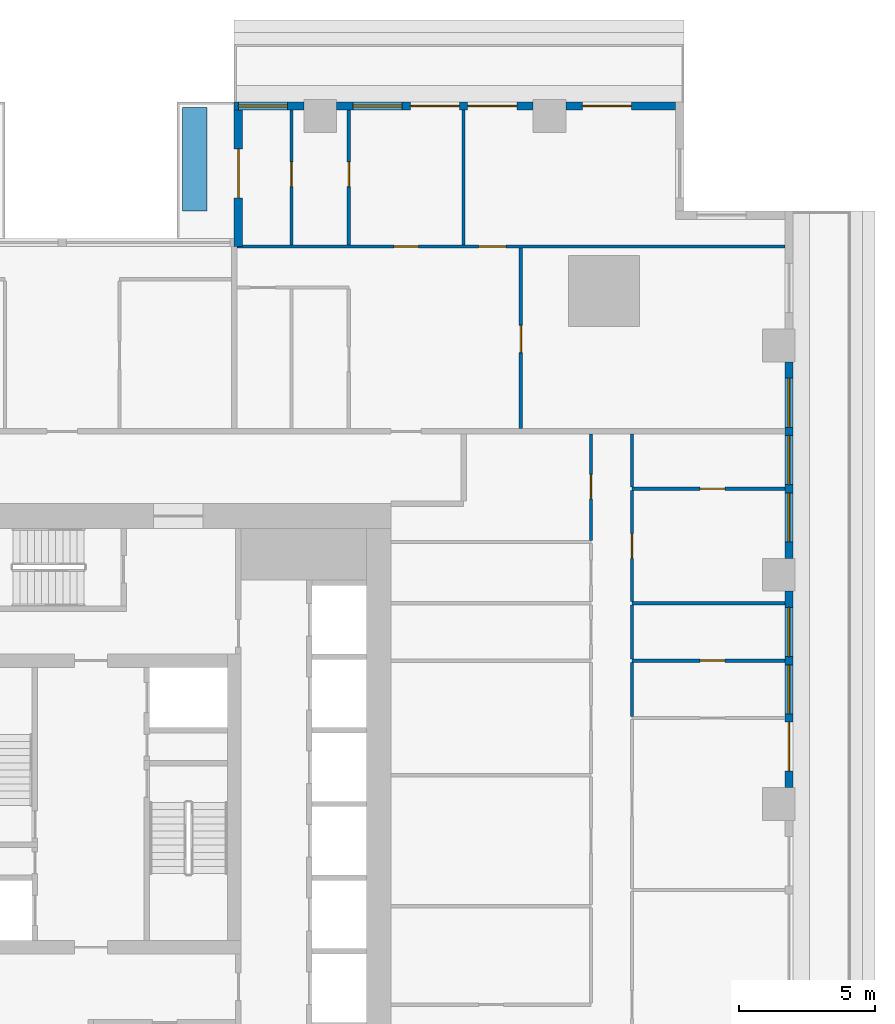
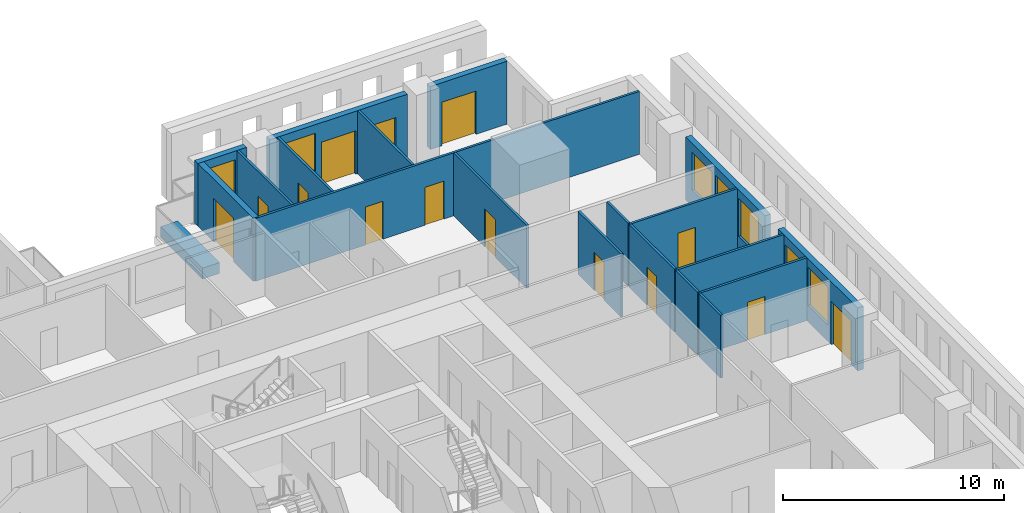
# One storey, part 9 of 16: 20 walls, 14 doors, 7 windows, 21 openings.
"""IFC4 building model written with IfcOpenShell, lengths in metres."""

from ifc_helpers import new_model, si_unit, direction, frame, frame_2d, origin, place, context, subcontext, project, spatial, rectangle, extrude, material, layer, layer_set, type_object, element, fill, save


model = new_model("IFC4")

# Units and contexts
model_context = context("Model", 3, precision=1e-05, world=origin(), true_north=direction((0.0, 1.0)))
body_context = subcontext(model_context, "Body", "Model", "MODEL_VIEW")
ifc_project = project(units=[si_unit("LENGTHUNIT", "METRE"), si_unit("AREAUNIT", "SQUARE_METRE"), si_unit("VOLUMEUNIT", "CUBIC_METRE"), si_unit("PLANEANGLEUNIT", "RADIAN"), si_unit("MASSUNIT", "GRAM", prefix="KILO")], contexts=[model_context])

# Site, building, storey
site_placement = place(None, origin())
site = spatial("IfcSite", under=ifc_project, at=site_placement, CompositionType="ELEMENT")
building_placement = place(site_placement, origin())
building = spatial("IfcBuilding", under=site, at=building_placement, Name="Khepri Terraces", CompositionType="ELEMENT")
storey_placement = place(building_placement, frame((0.0, 0.0, 141.60009765625)))
storey = spatial("IfcBuildingStorey", under=building, at=storey_placement, Name="L33", CompositionType="ELEMENT", Elevation=141.60009765625)

# Wall, openings, door, windows
ifc_material_1 = material(Name="Precast concrete C50/60 warm stone", Category="masonry")
ifc_layer_1 = layer(ifc_material_1, 0.300048828125, Name="Precast concrete C50/60 warm stone", Category="masonry")
ifc_layer_set_1 = layer_set([ifc_layer_1], Name="Precast concrete C50/60 warm stone")
wall_type_1 = type_object("IfcWallType", Name="WL-EXT-PRECAST-300", PredefinedType="STANDARD", material=ifc_layer_set_1)
wall_1_placement = place(storey_placement, frame((25.570068359375, 0.60009765625, 0.0), z_axis=(0.0, 0.0, 1.0), x_axis=(0.0, 1.0, 0.0)))
wall_1 = element("IfcWall", 1, at=wall_1_placement, inside=storey, type_object=wall_type_1, Name="External wall L33 E", PredefinedType="STANDARD", context=body_context, shape_type="SweptSolid", body=[
    extrude(rectangle(XDim=7.199951171875, YDim=0.300048828125, at=frame_2d((3.60009765625, 0.0))), origin(), (0.0, 0.0, 1.0), 3.47998046875),
])
opening_1_placement = place(wall_1_placement, frame((0.60009765625, 0.0, 0.0)))
opening_1 = element("IfcOpeningElement", 2, at=opening_1_placement, cuts=wall_1, Name="Opening ED-L33-06", PredefinedType="OPENING", context=body_context, shape_type="SweptSolid", body=[
    extrude(rectangle(XDim=1.800048828125, YDim=2.39990234375, at=frame_2d((0.89990234375, 1.199951171875))), frame((0.0, 0.16015625, 0.0), z_axis=(0.0, -1.0, 0.0), x_axis=(1.0, 0.0, 0.0)), (0.0, 0.0, 1.0), 0.320068359375),
])
opening_2_placement = place(wall_1_placement, frame((2.699951171875, 0.0, 0.89990234375)))
opening_2 = element("IfcOpeningElement", 3, at=opening_2_placement, cuts=wall_1, Name="Opening W1", PredefinedType="OPENING", context=body_context, shape_type="SweptSolid", body=[
    extrude(rectangle(XDim=1.800048828125, YDim=2.10009765625, at=frame_2d((0.89990234375, 1.050048828125))), frame((0.0, 0.16015625, 0.0), z_axis=(0.0, -1.0, 0.0), x_axis=(1.0, 0.0, 0.0)), (0.0, 0.0, 1.0), 0.320068359375),
])
opening_3_placement = place(wall_1_placement, frame((4.800048828125, 0.0, 0.89990234375)))
opening_3 = element("IfcOpeningElement", 4, at=opening_3_placement, cuts=wall_1, Name="Opening W1", PredefinedType="OPENING", context=body_context, shape_type="SweptSolid", body=[
    extrude(rectangle(XDim=1.800048828125, YDim=2.10009765625, at=frame_2d((0.89990234375, 1.050048828125))), frame((0.0, 0.16015625, 0.0), z_axis=(0.0, -1.0, 0.0), x_axis=(1.0, 0.0, 0.0)), (0.0, 0.0, 1.0), 0.320068359375),
])
ifc_material_2 = material(Name="Anodised aluminium bronze glazed door", Category="aluminium")
door_type_1 = type_object("IfcDoorType", Name="DR-BAL-SLIDE-1800x2400", OperationType="NOTDEFINED", PredefinedType="DOOR", material=ifc_material_2)
door_1_placement = place(opening_1_placement, origin())
door_1 = element("IfcDoor", 5, at=door_1_placement, inside=storey, type_object=door_type_1, Name="Balcony door L33 E", OperationType="SLIDING_TO_LEFT", OverallHeight=2.39990234375, OverallWidth=1.800048828125, PredefinedType="DOOR", context=body_context, shape_type="SweptSolid", body=[
    extrude(rectangle(XDim=1.800048828125, YDim=2.39990234375, at=frame_2d((0.89990234375, 1.199951171875))), frame((0.0, 0.02490234375, 0.0), z_axis=(0.0, -1.0, 0.0), x_axis=(1.0, 0.0, 0.0)), (0.0, 0.0, 1.0), 0.050048828125),
])
fill(opening_1, door_1)
ifc_material_3 = material(Name="Clear glass", Category="glass")
window_type = type_object("IfcWindowType", Name="WIN-RES-1800x2100", PartitioningType="SINGLE_PANEL", PredefinedType="WINDOW", material=ifc_material_3)
window_1_placement = place(opening_2_placement, origin())
window_1 = element("IfcWindow", 6, at=window_1_placement, inside=storey, type_object=window_type, Name="Window L33 E", OverallHeight=2.10009765625, OverallWidth=1.800048828125, PartitioningType="SINGLE_PANEL", PredefinedType="WINDOW", context=body_context, shape_type="SweptSolid", body=[
    extrude(rectangle(XDim=1.800048828125, YDim=2.10009765625, at=frame_2d((0.89990234375, 1.050048828125))), frame((0.0, 0.030029296875, 0.0), z_axis=(0.0, -1.0, 0.0), x_axis=(1.0, 0.0, 0.0)), (0.0, 0.0, 1.0), 0.06005859375),
])
fill(opening_2, window_1)
window_2_placement = place(opening_3_placement, origin())
window_2 = element("IfcWindow", 7, at=window_2_placement, inside=storey, type_object=window_type, Name="Window L33 E", OverallHeight=2.10009765625, OverallWidth=1.800048828125, PartitioningType="SINGLE_PANEL", PredefinedType="WINDOW", context=body_context, shape_type="SweptSolid", body=[
    extrude(rectangle(XDim=1.800048828125, YDim=2.10009765625, at=frame_2d((0.89990234375, 1.050048828125))), frame((0.0, 0.030029296875, 0.0), z_axis=(0.0, -1.0, 0.0), x_axis=(1.0, 0.0, 0.0)), (0.0, 0.0, 1.0), 0.06005859375),
])
fill(opening_3, window_2)

# Wall, openings, windows
wall_2_placement = place(storey_placement, frame((25.570068359375, 9.0, 0.0), z_axis=(0.0, 0.0, 1.0), x_axis=(0.0, 1.0, 0.0)))
wall_2 = element("IfcWall", 8, at=wall_2_placement, inside=storey, type_object=wall_type_1, Name="External wall L33 E", PredefinedType="STANDARD", context=body_context, shape_type="SweptSolid", body=[
    extrude(rectangle(XDim=7.199951171875, YDim=0.300048828125, at=frame_2d((3.60009765625, 0.0))), origin(), (0.0, 0.0, 1.0), 3.47998046875),
])
opening_4_placement = place(wall_2_placement, frame((0.60009765625, 0.0, 0.89990234375)))
opening_4 = element("IfcOpeningElement", 9, at=opening_4_placement, cuts=wall_2, Name="Opening W1", PredefinedType="OPENING", context=body_context, shape_type="SweptSolid", body=[
    extrude(rectangle(XDim=1.800048828125, YDim=2.10009765625, at=frame_2d((0.89990234375, 1.050048828125))), frame((0.0, 0.16015625, 0.0), z_axis=(0.0, -1.0, 0.0), x_axis=(1.0, 0.0, 0.0)), (0.0, 0.0, 1.0), 0.320068359375),
])
opening_5_placement = place(wall_2_placement, frame((2.699951171875, 0.0, 0.89990234375)))
opening_5 = element("IfcOpeningElement", 10, at=opening_5_placement, cuts=wall_2, Name="Opening W1", PredefinedType="OPENING", context=body_context, shape_type="SweptSolid", body=[
    extrude(rectangle(XDim=1.800048828125, YDim=2.10009765625, at=frame_2d((0.89990234375, 1.050048828125))), frame((0.0, 0.16015625, 0.0), z_axis=(0.0, -1.0, 0.0), x_axis=(1.0, 0.0, 0.0)), (0.0, 0.0, 1.0), 0.320068359375),
])
opening_6_placement = place(wall_2_placement, frame((4.800048828125, 0.0, 0.89990234375)))
opening_6 = element("IfcOpeningElement", 11, at=opening_6_placement, cuts=wall_2, Name="Opening W1", PredefinedType="OPENING", context=body_context, shape_type="SweptSolid", body=[
    extrude(rectangle(XDim=1.800048828125, YDim=2.10009765625, at=frame_2d((0.89990234375, 1.050048828125))), frame((0.0, 0.16015625, 0.0), z_axis=(0.0, -1.0, 0.0), x_axis=(1.0, 0.0, 0.0)), (0.0, 0.0, 1.0), 0.320068359375),
])
window_3_placement = place(opening_4_placement, origin())
window_3 = element("IfcWindow", 12, at=window_3_placement, inside=storey, type_object=window_type, Name="Window L33 E", OverallHeight=2.10009765625, OverallWidth=1.800048828125, PartitioningType="SINGLE_PANEL", PredefinedType="WINDOW", context=body_context, shape_type="SweptSolid", body=[
    extrude(rectangle(XDim=1.800048828125, YDim=2.10009765625, at=frame_2d((0.89990234375, 1.050048828125))), frame((0.0, 0.030029296875, 0.0), z_axis=(0.0, -1.0, 0.0), x_axis=(1.0, 0.0, 0.0)), (0.0, 0.0, 1.0), 0.06005859375),
])
fill(opening_4, window_3)
window_4_placement = place(opening_5_placement, origin())
window_4 = element("IfcWindow", 13, at=window_4_placement, inside=storey, type_object=window_type, Name="Window L33 E", OverallHeight=2.10009765625, OverallWidth=1.800048828125, PartitioningType="SINGLE_PANEL", PredefinedType="WINDOW", context=body_context, shape_type="SweptSolid", body=[
    extrude(rectangle(XDim=1.800048828125, YDim=2.10009765625, at=frame_2d((0.89990234375, 1.050048828125))), frame((0.0, 0.030029296875, 0.0), z_axis=(0.0, -1.0, 0.0), x_axis=(1.0, 0.0, 0.0)), (0.0, 0.0, 1.0), 0.06005859375),
])
fill(opening_5, window_4)
window_5_placement = place(opening_6_placement, origin())
window_5 = element("IfcWindow", 14, at=window_5_placement, inside=storey, type_object=window_type, Name="Window L33 E", OverallHeight=2.10009765625, OverallWidth=1.800048828125, PartitioningType="SINGLE_PANEL", PredefinedType="WINDOW", context=body_context, shape_type="SweptSolid", body=[
    extrude(rectangle(XDim=1.800048828125, YDim=2.10009765625, at=frame_2d((0.89990234375, 1.050048828125))), frame((0.0, 0.030029296875, 0.0), z_axis=(0.0, -1.0, 0.0), x_axis=(1.0, 0.0, 0.0)), (0.0, 0.0, 1.0), 0.06005859375),
])
fill(opening_6, window_5)

# Wall, opening, door
wall_3_placement = place(storey_placement, frame((21.419921875, 25.570068359375, 0.0), z_axis=(0.0, 0.0, 1.0), x_axis=(-1.0, 0.0, 0.0)))
wall_3 = element("IfcWall", 15, at=wall_3_placement, inside=storey, type_object=wall_type_1, Name="External wall L33 N", PredefinedType="STANDARD", context=body_context, shape_type="SweptSolid", body=[
    extrude(rectangle(XDim=4.02001953125, YDim=0.300048828125, at=frame_2d((2.010009765625, 0.0))), origin(), (0.0, 0.0, 1.0), 3.47998046875),
])
opening_7_placement = place(wall_3_placement, frame((1.6201171875, 0.0, 0.0)))
opening_7 = element("IfcOpeningElement", 16, at=opening_7_placement, cuts=wall_3, Name="Opening ED-L33-07", PredefinedType="OPENING", context=body_context, shape_type="SweptSolid", body=[
    extrude(rectangle(XDim=1.800048828125, YDim=2.39990234375, at=frame_2d((0.89990234375, 1.199951171875))), frame((0.0, 0.16015625, 0.0), z_axis=(0.0, -1.0, 0.0), x_axis=(1.0, 0.0, 0.0)), (0.0, 0.0, 1.0), 0.320068359375),
])
door_2_placement = place(opening_7_placement, origin())
door_2 = element("IfcDoor", 17, at=door_2_placement, inside=storey, type_object=door_type_1, Name="Balcony door L33 N", OperationType="SLIDING_TO_RIGHT", OverallHeight=2.39990234375, OverallWidth=1.800048828125, PredefinedType="DOOR", context=body_context, shape_type="SweptSolid", body=[
    extrude(rectangle(XDim=1.800048828125, YDim=2.39990234375, at=frame_2d((0.89990234375, 1.199951171875))), frame((0.0, 0.02490234375, 0.0), z_axis=(0.0, -1.0, 0.0), x_axis=(1.0, 0.0, 0.0)), (0.0, 0.0, 1.0), 0.050048828125),
])
fill(opening_7, door_2)

# Wall, openings, doors, window
wall_4_placement = place(storey_placement, frame((16.199951171875, 25.570068359375, 0.0), z_axis=(0.0, 0.0, 1.0), x_axis=(-1.0, 0.0, 0.0)))
wall_4 = element("IfcWall", 18, at=wall_4_placement, inside=storey, type_object=wall_type_1, Name="External wall L33 N", PredefinedType="STANDARD", context=body_context, shape_type="SweptSolid", body=[
    extrude(rectangle(XDim=7.199951171875, YDim=0.300048828125, at=frame_2d((3.60009765625, 0.0))), origin(), (0.0, 0.0, 1.0), 3.47998046875),
])
opening_8_placement = place(wall_4_placement, frame((0.60009765625, 0.0, 0.0)))
opening_8 = element("IfcOpeningElement", 19, at=opening_8_placement, cuts=wall_4, Name="Opening ED-L33-08", PredefinedType="OPENING", context=body_context, shape_type="SweptSolid", body=[
    extrude(rectangle(XDim=1.800048828125, YDim=2.39990234375, at=frame_2d((0.89990234375, 1.199951171875))), frame((0.0, 0.16015625, 0.0), z_axis=(0.0, -1.0, 0.0), x_axis=(1.0, 0.0, 0.0)), (0.0, 0.0, 1.0), 0.320068359375),
])
opening_9_placement = place(wall_4_placement, frame((2.699951171875, 0.0, 0.0)))
opening_9 = element("IfcOpeningElement", 20, at=opening_9_placement, cuts=wall_4, Name="Opening ED-L33-09", PredefinedType="OPENING", context=body_context, shape_type="SweptSolid", body=[
    extrude(rectangle(XDim=1.800048828125, YDim=2.39990234375, at=frame_2d((0.89990234375, 1.199951171875))), frame((0.0, 0.16015625, 0.0), z_axis=(0.0, -1.0, 0.0), x_axis=(1.0, 0.0, 0.0)), (0.0, 0.0, 1.0), 0.320068359375),
])
opening_10_placement = place(wall_4_placement, frame((4.800048828125, 0.0, 0.89990234375)))
opening_10 = element("IfcOpeningElement", 21, at=opening_10_placement, cuts=wall_4, Name="Opening W1", PredefinedType="OPENING", context=body_context, shape_type="SweptSolid", body=[
    extrude(rectangle(XDim=1.800048828125, YDim=2.10009765625, at=frame_2d((0.89990234375, 1.050048828125))), frame((0.0, 0.16015625, 0.0), z_axis=(0.0, -1.0, 0.0), x_axis=(1.0, 0.0, 0.0)), (0.0, 0.0, 1.0), 0.320068359375),
])
door_3_placement = place(opening_8_placement, origin())
door_3 = element("IfcDoor", 22, at=door_3_placement, inside=storey, type_object=door_type_1, Name="Balcony door L33 N", OperationType="SLIDING_TO_LEFT", OverallHeight=2.39990234375, OverallWidth=1.800048828125, PredefinedType="DOOR", context=body_context, shape_type="SweptSolid", body=[
    extrude(rectangle(XDim=1.800048828125, YDim=2.39990234375, at=frame_2d((0.89990234375, 1.199951171875))), frame((0.0, 0.02490234375, 0.0), z_axis=(0.0, -1.0, 0.0), x_axis=(1.0, 0.0, 0.0)), (0.0, 0.0, 1.0), 0.050048828125),
])
fill(opening_8, door_3)
door_4_placement = place(opening_9_placement, origin())
door_4 = element("IfcDoor", 23, at=door_4_placement, inside=storey, type_object=door_type_1, Name="Balcony door L33 N", OperationType="SLIDING_TO_RIGHT", OverallHeight=2.39990234375, OverallWidth=1.800048828125, PredefinedType="DOOR", context=body_context, shape_type="SweptSolid", body=[
    extrude(rectangle(XDim=1.800048828125, YDim=2.39990234375, at=frame_2d((0.89990234375, 1.199951171875))), frame((0.0, 0.02490234375, 0.0), z_axis=(0.0, -1.0, 0.0), x_axis=(1.0, 0.0, 0.0)), (0.0, 0.0, 1.0), 0.050048828125),
])
fill(opening_9, door_4)
window_6_placement = place(opening_10_placement, origin())
window_6 = element("IfcWindow", 24, at=window_6_placement, inside=storey, type_object=window_type, Name="Window L33 N", OverallHeight=2.10009765625, OverallWidth=1.800048828125, PartitioningType="SINGLE_PANEL", PredefinedType="WINDOW", context=body_context, shape_type="SweptSolid", body=[
    extrude(rectangle(XDim=1.800048828125, YDim=2.10009765625, at=frame_2d((0.89990234375, 1.050048828125))), frame((0.0, 0.030029296875, 0.0), z_axis=(0.0, -1.0, 0.0), x_axis=(1.0, 0.0, 0.0)), (0.0, 0.0, 1.0), 0.06005859375),
])
fill(opening_10, window_6)

# Wall, opening, window
wall_5_placement = place(storey_placement, frame((7.800048828125, 25.570068359375, 0.0), z_axis=(0.0, 0.0, 1.0), x_axis=(-1.0, 0.0, 0.0)))
wall_5 = element("IfcWall", 25, at=wall_5_placement, inside=storey, type_object=wall_type_1, Name="External wall L33 N", PredefinedType="STANDARD", context=body_context, shape_type="SweptSolid", body=[
    extrude(rectangle(XDim=2.550048828125, YDim=0.300048828125, at=frame_2d((1.27490234375, 0.0))), origin(), (0.0, 0.0, 1.0), 3.47998046875),
])
opening_11_placement = place(wall_5_placement, frame((0.60009765625, 0.0, 0.89990234375)))
opening_11 = element("IfcOpeningElement", 26, at=opening_11_placement, cuts=wall_5, Name="Opening W1", PredefinedType="OPENING", context=body_context, shape_type="SweptSolid", body=[
    extrude(rectangle(XDim=1.800048828125, YDim=2.10009765625, at=frame_2d((0.89990234375, 1.050048828125))), frame((0.0, 0.16015625, 0.0), z_axis=(0.0, -1.0, 0.0), x_axis=(1.0, 0.0, 0.0)), (0.0, 0.0, 1.0), 0.320068359375),
])
window_7_placement = place(opening_11_placement, origin())
window_7 = element("IfcWindow", 27, at=window_7_placement, inside=storey, type_object=window_type, Name="Window L33 N", OverallHeight=2.10009765625, OverallWidth=1.800048828125, PartitioningType="SINGLE_PANEL", PredefinedType="WINDOW", context=body_context, shape_type="SweptSolid", body=[
    extrude(rectangle(XDim=1.800048828125, YDim=2.10009765625, at=frame_2d((0.89990234375, 1.050048828125))), frame((0.0, 0.030029296875, 0.0), z_axis=(0.0, -1.0, 0.0), x_axis=(1.0, 0.0, 0.0)), (0.0, 0.0, 1.0), 0.06005859375),
])
fill(opening_11, window_7)

# Wall, opening, door
wall_6_placement = place(storey_placement, frame((5.39990234375, 25.419921875, 0.0), z_axis=(0.0, 0.0, 1.0), x_axis=(0.0, -1.0, 0.0)))
wall_6 = element("IfcWall", 28, at=wall_6_placement, inside=storey, type_object=wall_type_1, Name="External wall L33 W", PredefinedType="STANDARD", context=body_context, shape_type="SweptSolid", body=[
    extrude(rectangle(XDim=5.0, YDim=0.300048828125, at=frame_2d((2.5, 0.0))), origin(), (0.0, 0.0, 1.0), 3.47998046875),
])
opening_12_placement = place(wall_6_placement, frame((1.419921875, 0.0, 0.0)))
opening_12 = element("IfcOpeningElement", 29, at=opening_12_placement, cuts=wall_6, Name="Opening ED-L33-10", PredefinedType="OPENING", context=body_context, shape_type="SweptSolid", body=[
    extrude(rectangle(XDim=1.800048828125, YDim=2.39990234375, at=frame_2d((0.89990234375, 1.199951171875))), frame((0.0, 0.16015625, 0.0), z_axis=(0.0, -1.0, 0.0), x_axis=(1.0, 0.0, 0.0)), (0.0, 0.0, 1.0), 0.320068359375),
])
door_5_placement = place(opening_12_placement, origin())
door_5 = element("IfcDoor", 30, at=door_5_placement, inside=storey, type_object=door_type_1, Name="Balcony door L33 W", OperationType="SLIDING_TO_LEFT", OverallHeight=2.39990234375, OverallWidth=1.800048828125, PredefinedType="DOOR", context=body_context, shape_type="SweptSolid", body=[
    extrude(rectangle(XDim=1.800048828125, YDim=2.39990234375, at=frame_2d((0.89990234375, 1.199951171875))), frame((0.0, 0.02490234375, 0.0), z_axis=(0.0, -1.0, 0.0), x_axis=(1.0, 0.0, 0.0)), (0.0, 0.0, 1.0), 0.050048828125),
])
fill(opening_12, door_5)

# Wall
ifc_material_4 = material(Name="Gypsum plasterboard partition")
ifc_layer_2 = layer(ifc_material_4, 0.1201171875, Name="Gypsum plasterboard partition")
ifc_layer_set_2 = layer_set([ifc_layer_2], Name="Gypsum plasterboard partition")
wall_type_2 = type_object("IfcWallType", Name="WL-PART-120", PredefinedType="PARTITIONING", material=ifc_layer_set_2)
wall_7_placement = place(storey_placement, frame((19.820068359375, 3.2099609375, 0.0), z_axis=(0.0, 0.0, 1.0), x_axis=(0.0, 1.0, 0.0)))
element("IfcWall", 31, at=wall_7_placement, inside=storey, type_object=wall_type_2, Name="Partition P-064 L33", PredefinedType="PARTITIONING", context=body_context, shape_type="SweptSolid", body=[
    extrude(rectangle(XDim=1.97998046875, YDim=0.1201171875, at=frame_2d((0.989990234375, 0.0))), origin(), (0.0, 0.0, 1.0), 3.47998046875),
])

# Wall, opening, door
wall_8_placement = place(storey_placement, frame((19.820068359375, 5.25, 0.0), z_axis=(0.0, 0.0, 1.0), x_axis=(1.0, 0.0, 0.0)))
wall_8 = element("IfcWall", 32, at=wall_8_placement, inside=storey, type_object=wall_type_2, Name="Partition P-067 L33", PredefinedType="PARTITIONING", context=body_context, shape_type="SweptSolid", body=[
    extrude(rectangle(XDim=5.599853515625, YDim=0.1201171875, at=frame_2d((2.7998046875, 0.0))), origin(), (0.0, 0.0, 1.0), 3.47998046875),
])
opening_13_placement = place(wall_8_placement, frame((2.5, 0.0, 0.0)))
opening_13 = element("IfcOpeningElement", 33, at=opening_13_placement, cuts=wall_8, Name="Opening D4", PredefinedType="OPENING", context=body_context, shape_type="SweptSolid", body=[
    extrude(rectangle(XDim=0.89990234375, YDim=2.10009765625, at=frame_2d((0.449951171875, 1.050048828125))), frame((0.0, 0.070068359375, 0.0), z_axis=(0.0, -1.0, 0.0), x_axis=(1.0, 0.0, 0.0)), (0.0, 0.0, 1.0), 0.14013671875),
])
ifc_material_5 = material(Name="Timber door leaf, moisture resistant", Category="wood")
door_type_2 = type_object("IfcDoorType", Name="DR-WET-900", OperationType="NOTDEFINED", PredefinedType="DOOR", material=ifc_material_5)
door_6_placement = place(opening_13_placement, origin())
door_6 = element("IfcDoor", 34, at=door_6_placement, inside=storey, type_object=door_type_2, Name="Door Bathroom", OperationType="SINGLE_SWING_RIGHT", OverallHeight=2.10009765625, OverallWidth=0.89990234375, PredefinedType="DOOR", context=body_context, shape_type="SweptSolid", body=[
    extrude(rectangle(XDim=0.89990234375, YDim=2.10009765625, at=frame_2d((0.449951171875, 1.050048828125))), frame((0.0, 0.02490234375, 0.0), z_axis=(0.0, -1.0, 0.0), x_axis=(1.0, 0.0, 0.0)), (0.0, 0.0, 1.0), 0.050048828125),
])
fill(opening_13, door_6)

# Walls
wall_9_placement = place(storey_placement, frame((19.820068359375, 5.31005859375, 0.0), z_axis=(0.0, 0.0, 1.0), x_axis=(0.0, 1.0, 0.0)))
element("IfcWall", 35, at=wall_9_placement, inside=storey, type_object=wall_type_2, Name="Partition P-070 L33", PredefinedType="PARTITIONING", context=body_context, shape_type="SweptSolid", body=[
    extrude(rectangle(XDim=1.97998046875, YDim=0.1201171875, at=frame_2d((0.989990234375, 0.0))), origin(), (0.0, 0.0, 1.0), 3.47998046875),
])
wall_10_placement = place(storey_placement, frame((19.820068359375, 7.35009765625, 0.0), z_axis=(0.0, 0.0, 1.0), x_axis=(1.0, 0.0, 0.0)))
element("IfcWall", 36, at=wall_10_placement, inside=storey, type_object=wall_type_2, Name="Partition P-073 L33", PredefinedType="PARTITIONING", context=body_context, shape_type="SweptSolid", body=[
    extrude(rectangle(XDim=5.599853515625, YDim=0.1201171875, at=frame_2d((2.7998046875, 0.0))), origin(), (0.0, 0.0, 1.0), 3.47998046875),
])

# Wall, opening, door
wall_11_placement = place(storey_placement, frame((19.820068359375, 7.409912109375, 0.0), z_axis=(0.0, 0.0, 1.0), x_axis=(0.0, 1.0, 0.0)))
wall_11 = element("IfcWall", 37, at=wall_11_placement, inside=storey, type_object=wall_type_2, Name="Partition P-075 L33", PredefinedType="PARTITIONING", context=body_context, shape_type="SweptSolid", body=[
    extrude(rectangle(XDim=4.080078125, YDim=0.1201171875, at=frame_2d((2.0400390625, 0.0))), origin(), (0.0, 0.0, 1.0), 3.47998046875),
])
opening_14_placement = place(wall_11_placement, frame((1.590087890625, 0.0, 0.0)))
opening_14 = element("IfcOpeningElement", 38, at=opening_14_placement, cuts=wall_11, Name="Opening D3", PredefinedType="OPENING", context=body_context, shape_type="SweptSolid", body=[
    extrude(rectangle(XDim=0.89990234375, YDim=2.10009765625, at=frame_2d((0.449951171875, 1.050048828125))), frame((0.0, 0.070068359375, 0.0), z_axis=(0.0, -1.0, 0.0), x_axis=(1.0, 0.0, 0.0)), (0.0, 0.0, 1.0), 0.14013671875),
])
ifc_material_6 = material(Name="Timber door leaf", Category="wood")
door_type_3 = type_object("IfcDoorType", Name="DR-INT-900", OperationType="NOTDEFINED", PredefinedType="DOOR", material=ifc_material_6)
door_7_placement = place(opening_14_placement, frame((0.89990234375, 0.0, 0.0), z_axis=(0.0, 0.0, 1.0), x_axis=(-1.0, 0.0, 0.0)))
door_7 = element("IfcDoor", 39, at=door_7_placement, inside=storey, type_object=door_type_3, Name="Door Bedroom", OperationType="SINGLE_SWING_RIGHT", OverallHeight=2.10009765625, OverallWidth=0.89990234375, PredefinedType="DOOR", context=body_context, shape_type="SweptSolid", body=[
    extrude(rectangle(XDim=0.89990234375, YDim=2.10009765625, at=frame_2d((0.449951171875, 1.050048828125))), frame((0.0, 0.02490234375, 0.0), z_axis=(0.0, -1.0, 0.0), x_axis=(1.0, 0.0, 0.0)), (0.0, 0.0, 1.0), 0.050048828125),
])
fill(opening_14, door_7)

wall_12_placement = place(storey_placement, frame((18.320068359375, 9.659912109375, 0.0), z_axis=(0.0, 0.0, 1.0), x_axis=(0.0, 1.0, 0.0)))
wall_12 = element("IfcWall", 40, at=wall_12_placement, inside=storey, type_object=wall_type_2, Name="Partition P-077 L33", PredefinedType="PARTITIONING", context=body_context, shape_type="SweptSolid", body=[
    extrude(rectangle(XDim=3.89013671875, YDim=0.1201171875, at=frame_2d((1.945068359375, 0.0))), origin(), (0.0, 0.0, 1.0), 3.47998046875),
])
opening_15_placement = place(wall_12_placement, frame((1.514892578125, 0.0, 0.0)))
opening_15 = element("IfcOpeningElement", 41, at=opening_15_placement, cuts=wall_12, Name="Opening D3", PredefinedType="OPENING", context=body_context, shape_type="SweptSolid", body=[
    extrude(rectangle(XDim=0.89990234375, YDim=2.10009765625, at=frame_2d((0.449951171875, 1.050048828125))), frame((0.0, 0.070068359375, 0.0), z_axis=(0.0, -1.0, 0.0), x_axis=(1.0, 0.0, 0.0)), (0.0, 0.0, 1.0), 0.14013671875),
])
door_8_placement = place(opening_15_placement, origin())
door_8 = element("IfcDoor", 42, at=door_8_placement, inside=storey, type_object=door_type_3, Name="Door Library", OperationType="SINGLE_SWING_RIGHT", OverallHeight=2.10009765625, OverallWidth=0.89990234375, PredefinedType="DOOR", context=body_context, shape_type="SweptSolid", body=[
    extrude(rectangle(XDim=0.89990234375, YDim=2.10009765625, at=frame_2d((0.449951171875, 1.050048828125))), frame((0.0, 0.02490234375, 0.0), z_axis=(0.0, -1.0, 0.0), x_axis=(1.0, 0.0, 0.0)), (0.0, 0.0, 1.0), 0.050048828125),
])
fill(opening_15, door_8)

wall_13_placement = place(storey_placement, frame((19.820068359375, 11.550048828125, 0.0), z_axis=(0.0, 0.0, 1.0), x_axis=(1.0, 0.0, 0.0)))
wall_13 = element("IfcWall", 43, at=wall_13_placement, inside=storey, type_object=wall_type_2, Name="Partition P-083 L33", PredefinedType="PARTITIONING", context=body_context, shape_type="SweptSolid", body=[
    extrude(rectangle(XDim=5.599853515625, YDim=0.1201171875, at=frame_2d((2.7998046875, 0.0))), origin(), (0.0, 0.0, 1.0), 3.47998046875),
])
opening_16_placement = place(wall_13_placement, frame((2.5, 0.0, 0.0)))
opening_16 = element("IfcOpeningElement", 44, at=opening_16_placement, cuts=wall_13, Name="Opening D4", PredefinedType="OPENING", context=body_context, shape_type="SweptSolid", body=[
    extrude(rectangle(XDim=0.89990234375, YDim=2.10009765625, at=frame_2d((0.449951171875, 1.050048828125))), frame((0.0, 0.070068359375, 0.0), z_axis=(0.0, -1.0, 0.0), x_axis=(1.0, 0.0, 0.0)), (0.0, 0.0, 1.0), 0.14013671875),
])
door_9_placement = place(opening_16_placement, origin())
door_9 = element("IfcDoor", 45, at=door_9_placement, inside=storey, type_object=door_type_2, Name="Door Bathroom", OperationType="SINGLE_SWING_RIGHT", OverallHeight=2.10009765625, OverallWidth=0.89990234375, PredefinedType="DOOR", context=body_context, shape_type="SweptSolid", body=[
    extrude(rectangle(XDim=0.89990234375, YDim=2.10009765625, at=frame_2d((0.449951171875, 1.050048828125))), frame((0.0, 0.02490234375, 0.0), z_axis=(0.0, -1.0, 0.0), x_axis=(1.0, 0.0, 0.0)), (0.0, 0.0, 1.0), 0.050048828125),
])
fill(opening_16, door_9)

# Wall
wall_14_placement = place(storey_placement, frame((19.820068359375, 11.610107421875, 0.0), z_axis=(0.0, 0.0, 1.0), x_axis=(0.0, 1.0, 0.0)))
element("IfcWall", 46, at=wall_14_placement, inside=storey, type_object=wall_type_2, Name="Partition P-085 L33", PredefinedType="PARTITIONING", context=body_context, shape_type="SweptSolid", body=[
    extrude(rectangle(XDim=1.93994140625, YDim=0.1201171875, at=frame_2d((0.969970703125, 0.0))), origin(), (0.0, 0.0, 1.0), 3.47998046875),
])

# Wall, opening, door
wall_15_placement = place(storey_placement, frame((15.75, 13.75, 0.0), z_axis=(0.0, 0.0, 1.0), x_axis=(0.0, 1.0, 0.0)))
wall_15 = element("IfcWall", 47, at=wall_15_placement, inside=storey, type_object=wall_type_2, Name="Partition P-097 L33", PredefinedType="PARTITIONING", context=body_context, shape_type="SweptSolid", body=[
    extrude(rectangle(XDim=6.610107421875, YDim=0.1201171875, at=frame_2d((3.30517578125, 0.0))), origin(), (0.0, 0.0, 1.0), 3.47998046875),
])
opening_17_placement = place(wall_15_placement, frame((2.784912109375, 0.0, 0.0)))
opening_17 = element("IfcOpeningElement", 48, at=opening_17_placement, cuts=wall_15, Name="Opening D2", PredefinedType="OPENING", context=body_context, shape_type="SweptSolid", body=[
    extrude(rectangle(XDim=1.0, YDim=2.10009765625, at=frame_2d((0.5, 1.050048828125))), frame((0.0, 0.070068359375, 0.0), z_axis=(0.0, -1.0, 0.0), x_axis=(1.0, 0.0, 0.0)), (0.0, 0.0, 1.0), 0.14013671875),
])
ifc_material_7 = material(Name="Timber door leaf, living room door", Category="wood")
door_type_4 = type_object("IfcDoorType", Name="DR-INT-1000", OperationType="NOTDEFINED", PredefinedType="DOOR", material=ifc_material_7)
door_10_placement = place(opening_17_placement, frame((1.0, 0.0, 0.0), z_axis=(0.0, 0.0, 1.0), x_axis=(-1.0, 0.0, 0.0)))
door_10 = element("IfcDoor", 49, at=door_10_placement, inside=storey, type_object=door_type_4, Name="Door Family Room", OperationType="SINGLE_SWING_RIGHT", OverallHeight=2.10009765625, OverallWidth=1.0, PredefinedType="DOOR", context=body_context, shape_type="SweptSolid", body=[
    extrude(rectangle(XDim=1.0, YDim=2.10009765625, at=frame_2d((0.5, 1.050048828125))), frame((0.0, 0.02490234375, 0.0), z_axis=(0.0, -1.0, 0.0), x_axis=(1.0, 0.0, 0.0)), (0.0, 0.0, 1.0), 0.050048828125),
])
fill(opening_17, door_10)

# Wall, openings, doors
wall_16_placement = place(storey_placement, frame((5.35009765625, 20.419921875, 0.0), z_axis=(0.0, 0.0, 1.0), x_axis=(1.0, 0.0, 0.0)))
wall_16 = element("IfcWall", 50, at=wall_16_placement, inside=storey, type_object=wall_type_2, Name="Partition P-101 L33", PredefinedType="PARTITIONING", context=body_context, shape_type="SweptSolid", body=[
    extrude(rectangle(XDim=20.06982421875, YDim=0.1201171875, at=frame_2d((10.034912109375, 0.0))), origin(), (0.0, 0.0, 1.0), 3.47998046875),
])
opening_18_placement = place(wall_16_placement, frame((8.85009765625, 0.0, 0.0)))
opening_18 = element("IfcOpeningElement", 51, at=opening_18_placement, cuts=wall_16, Name="Opening D2", PredefinedType="OPENING", context=body_context, shape_type="SweptSolid", body=[
    extrude(rectangle(XDim=1.0, YDim=2.10009765625, at=frame_2d((0.5, 1.050048828125))), frame((0.0, 0.070068359375, 0.0), z_axis=(0.0, -1.0, 0.0), x_axis=(1.0, 0.0, 0.0)), (0.0, 0.0, 1.0), 0.14013671875),
])
opening_19_placement = place(wall_16_placement, frame((5.75, 0.0, 0.0)))
opening_19 = element("IfcOpeningElement", 52, at=opening_19_placement, cuts=wall_16, Name="Opening D3", PredefinedType="OPENING", context=body_context, shape_type="SweptSolid", body=[
    extrude(rectangle(XDim=0.89990234375, YDim=2.10009765625, at=frame_2d((0.449951171875, 1.050048828125))), frame((0.0, 0.070068359375, 0.0), z_axis=(0.0, -1.0, 0.0), x_axis=(1.0, 0.0, 0.0)), (0.0, 0.0, 1.0), 0.14013671875),
])
door_11_placement = place(opening_18_placement, origin())
door_11 = element("IfcDoor", 53, at=door_11_placement, inside=storey, type_object=door_type_4, Name="Door Living Room", OperationType="SINGLE_SWING_LEFT", OverallHeight=2.10009765625, OverallWidth=1.0, PredefinedType="DOOR", context=body_context, shape_type="SweptSolid", body=[
    extrude(rectangle(XDim=1.0, YDim=2.10009765625, at=frame_2d((0.5, 1.050048828125))), frame((0.0, 0.02490234375, 0.0), z_axis=(0.0, -1.0, 0.0), x_axis=(1.0, 0.0, 0.0)), (0.0, 0.0, 1.0), 0.050048828125),
])
fill(opening_18, door_11)
door_12_placement = place(opening_19_placement, origin())
door_12 = element("IfcDoor", 54, at=door_12_placement, inside=storey, type_object=door_type_3, Name="Door Master Bedroom", OperationType="SINGLE_SWING_LEFT", OverallHeight=2.10009765625, OverallWidth=0.89990234375, PredefinedType="DOOR", context=body_context, shape_type="SweptSolid", body=[
    extrude(rectangle(XDim=0.89990234375, YDim=2.10009765625, at=frame_2d((0.449951171875, 1.050048828125))), frame((0.0, 0.02490234375, 0.0), z_axis=(0.0, -1.0, 0.0), x_axis=(1.0, 0.0, 0.0)), (0.0, 0.0, 1.0), 0.050048828125),
])
fill(opening_19, door_12)

# Wall, opening, door
wall_17_placement = place(storey_placement, frame((7.35009765625, 20.47998046875, 0.0), z_axis=(0.0, 0.0, 1.0), x_axis=(0.0, 1.0, 0.0)))
wall_17 = element("IfcWall", 55, at=wall_17_placement, inside=storey, type_object=wall_type_2, Name="Partition P-102 L33", PredefinedType="PARTITIONING", context=body_context, shape_type="SweptSolid", body=[
    extrude(rectangle(XDim=4.93994140625, YDim=0.1201171875, at=frame_2d((2.469970703125, 0.0))), origin(), (0.0, 0.0, 1.0), 3.47998046875),
])
opening_20_placement = place(wall_17_placement, frame((2.139892578125, 0.0, 0.0)))
opening_20 = element("IfcOpeningElement", 56, at=opening_20_placement, cuts=wall_17, Name="Opening D4", PredefinedType="OPENING", context=body_context, shape_type="SweptSolid", body=[
    extrude(rectangle(XDim=0.89990234375, YDim=2.10009765625, at=frame_2d((0.449951171875, 1.050048828125))), frame((0.0, 0.070068359375, 0.0), z_axis=(0.0, -1.0, 0.0), x_axis=(1.0, 0.0, 0.0)), (0.0, 0.0, 1.0), 0.14013671875),
])
door_13_placement = place(opening_20_placement, origin())
door_13 = element("IfcDoor", 57, at=door_13_placement, inside=storey, type_object=door_type_2, Name="Door Bathroom", OperationType="SINGLE_SWING_RIGHT", OverallHeight=2.10009765625, OverallWidth=0.89990234375, PredefinedType="DOOR", context=body_context, shape_type="SweptSolid", body=[
    extrude(rectangle(XDim=0.89990234375, YDim=2.10009765625, at=frame_2d((0.449951171875, 1.050048828125))), frame((0.0, 0.02490234375, 0.0), z_axis=(0.0, -1.0, 0.0), x_axis=(1.0, 0.0, 0.0)), (0.0, 0.0, 1.0), 0.050048828125),
])
fill(opening_20, door_13)

wall_18_placement = place(storey_placement, frame((9.449951171875, 20.47998046875, 0.0), z_axis=(0.0, 0.0, 1.0), x_axis=(0.0, 1.0, 0.0)))
wall_18 = element("IfcWall", 58, at=wall_18_placement, inside=storey, type_object=wall_type_2, Name="Partition P-103 L33", PredefinedType="PARTITIONING", context=body_context, shape_type="SweptSolid", body=[
    extrude(rectangle(XDim=4.93994140625, YDim=0.1201171875, at=frame_2d((2.469970703125, 0.0))), origin(), (0.0, 0.0, 1.0), 3.47998046875),
])
opening_21_placement = place(wall_18_placement, frame((2.139892578125, 0.0, 0.0)))
opening_21 = element("IfcOpeningElement", 59, at=opening_21_placement, cuts=wall_18, Name="Opening D3", PredefinedType="OPENING", context=body_context, shape_type="SweptSolid", body=[
    extrude(rectangle(XDim=0.89990234375, YDim=2.10009765625, at=frame_2d((0.449951171875, 1.050048828125))), frame((0.0, 0.070068359375, 0.0), z_axis=(0.0, -1.0, 0.0), x_axis=(1.0, 0.0, 0.0)), (0.0, 0.0, 1.0), 0.14013671875),
])
door_14_placement = place(opening_21_placement, origin())
door_14 = element("IfcDoor", 60, at=door_14_placement, inside=storey, type_object=door_type_3, Name="Door Dressing Room", OperationType="SINGLE_SWING_RIGHT", OverallHeight=2.10009765625, OverallWidth=0.89990234375, PredefinedType="DOOR", context=body_context, shape_type="SweptSolid", body=[
    extrude(rectangle(XDim=0.89990234375, YDim=2.10009765625, at=frame_2d((0.449951171875, 1.050048828125))), frame((0.0, 0.02490234375, 0.0), z_axis=(0.0, -1.0, 0.0), x_axis=(1.0, 0.0, 0.0)), (0.0, 0.0, 1.0), 0.050048828125),
])
fill(opening_21, door_14)

# Walls
wall_19_placement = place(storey_placement, frame((13.64990234375, 20.47998046875, 0.0), z_axis=(0.0, 0.0, 1.0), x_axis=(0.0, 1.0, 0.0)))
element("IfcWall", 61, at=wall_19_placement, inside=storey, type_object=wall_type_2, Name="Partition P-104 L33", PredefinedType="PARTITIONING", context=body_context, shape_type="SweptSolid", body=[
    extrude(rectangle(XDim=4.93994140625, YDim=0.1201171875, at=frame_2d((2.469970703125, 0.0))), origin(), (0.0, 0.0, 1.0), 3.47998046875),
])
ifc_layer_3 = layer(ifc_material_1, 0.89990234375, Name="Precast concrete C50/60 warm stone", Category="masonry")
ifc_layer_set_3 = layer_set([ifc_layer_3], Name="Precast concrete C50/60 warm stone")
wall_type_3 = type_object("IfcWallType", Name="WL-PLANTER-900", PredefinedType="MOVABLE", material=ifc_layer_set_3)
wall_20_placement = place(storey_placement, frame((3.800048828125, 21.719970703125, 0.0), z_axis=(0.0, 0.0, 1.0), x_axis=(0.0, 1.0, 0.0)))
element("IfcWall", 62, at=wall_20_placement, inside=storey, type_object=wall_type_3, Name="Planter L33", PredefinedType="MOVABLE", context=body_context, shape_type="SweptSolid", body=[
    extrude(rectangle(XDim=3.800048828125, YDim=0.89990234375, at=frame_2d((1.89990234375, 0.0))), origin(), (0.0, 0.0, 1.0), 0.599853515625),
])

save(model, "model.ifc")
